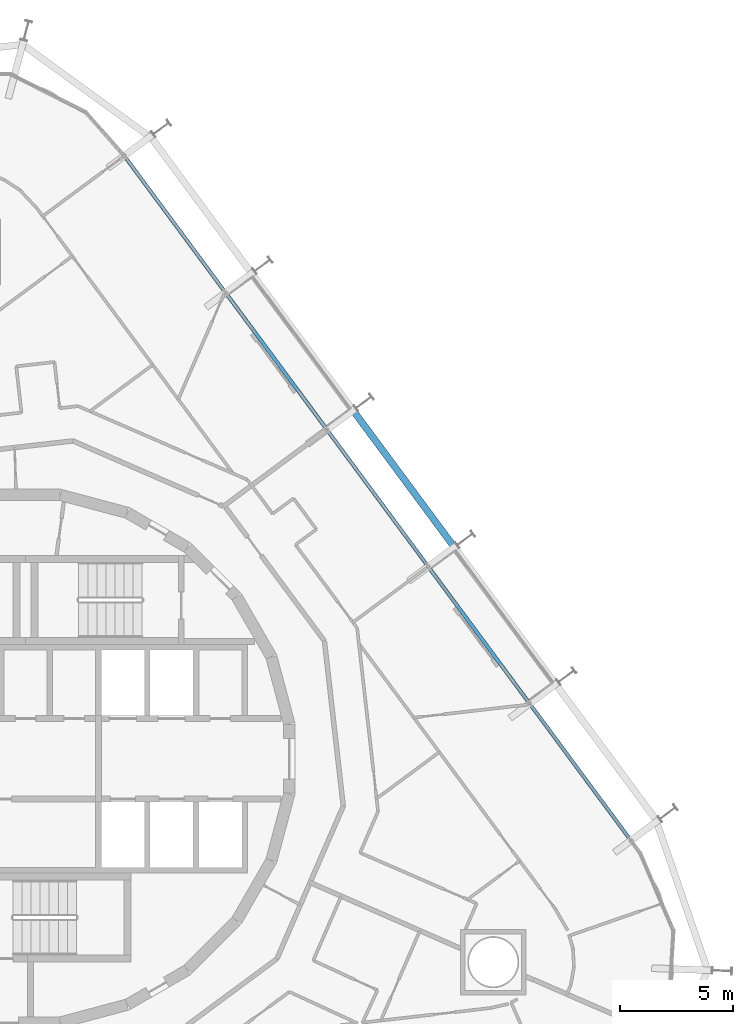
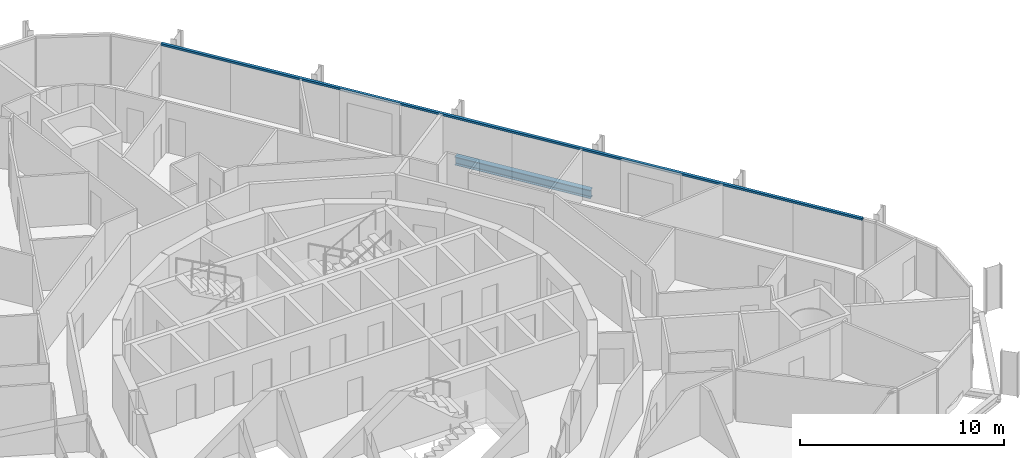
# One storey, part 10 of 23: 1 beam, 1 member, 1 element without a shape of its own.
"""IFC4 building model written with IfcOpenShell, lengths in metres."""

from ifc_helpers import new_model, si_unit, direction, frame, origin, origin_2d, place, context, subcontext, project, spatial, rectangle, i_section, extrude, material, layer, layer_set, material_profile, profile_set, type_object, element, aggregate, save


model = new_model("IFC4")

# Units and contexts
model_context = context("Model", 3, precision=1e-05, world=origin(), true_north=direction((0.0, 1.0)))
body_context = subcontext(model_context, "Body", "Model", "MODEL_VIEW")
ifc_project = project(units=[si_unit("LENGTHUNIT", "METRE"), si_unit("AREAUNIT", "SQUARE_METRE"), si_unit("VOLUMEUNIT", "CUBIC_METRE"), si_unit("PLANEANGLEUNIT", "RADIAN"), si_unit("MASSUNIT", "GRAM", prefix="KILO")], contexts=[model_context])

# Site, building, storey
site_placement = place(None, origin())
site = spatial("IfcSite", under=ifc_project, at=site_placement, CompositionType="ELEMENT")
building_placement = place(site_placement, origin())
building = spatial("IfcBuilding", under=site, at=building_placement, Name="Spindle Arch Residences", CompositionType="ELEMENT")
storey_placement = place(building_placement, frame((0.0, 0.0, 104.699951171875)))
storey = spatial("IfcBuildingStorey", under=building, at=storey_placement, Name="L25", CompositionType="ELEMENT", Elevation=104.699951171875)

# Curtain wall, member
ifc_material_1 = material(Name="Aluminium bronze unitised frame with tinted glass", Category="aluminium")
ifc_layer = layer(ifc_material_1, 0.159912109375)
ifc_layer_set = layer_set([ifc_layer], Name="CW-C typical residential unitised wall")
curtain_wall_type = type_object("IfcCurtainWallType", Name="CW-C typical residential unitised wall", PredefinedType="NOTDEFINED", material=ifc_layer_set)
curtain_wall_placement = place(storey_placement, origin())
curtain_wall = element("IfcCurtainWall", 1, at=curtain_wall_placement, inside=storey, type_object=curtain_wall_type, Name="CW-C L25 run 2", PredefinedType="NOTDEFINED")
ifc_material_2 = material(Name="Aluminium bronze anodised transom", Category="aluminium")
ifc_material_profile_1 = material_profile(ifc_material_2, rectangle(XDim=0.159912109375, YDim=0.1201171875, at=origin_2d()), Name="TR 120x160")
ifc_profile_set_1 = profile_set([ifc_material_profile_1], Name="Aluminium bronze anodised transom")
member_type = type_object("IfcMemberType", Name="Bronze transom 120x160", PredefinedType="USERDEFINED", material=ifc_profile_set_1)
member_placement = place(storey_placement, frame((26.707763671875, -3.583740234375, 2.989990234375), z_axis=(-0.594822410752, 0.803857138842, 0.0), x_axis=(-0.803857138842, -0.594822410752, 0.0)))
member = element("IfcMember", 2, at=member_placement, type_object=member_type, Name="CW-C transom 00", ObjectType="TRANSOM", PredefinedType="USERDEFINED", context=body_context, shape_type="SweptSolid", body=[
    extrude(rectangle(XDim=0.159912109375, YDim=0.1201171875, at=origin_2d()), origin(), (0.0, 0.0, 1.0), 37.5341796875),
])
aggregate(curtain_wall, [member])

# Beam
ifc_material_3 = material(Name="Steel S460ML, intumescent coating R 120", Category="steel")
ifc_material_profile_2 = material_profile(ifc_material_3, i_section(OverallWidth=0.300048828125, OverallDepth=0.5, WebThickness=0.014404296875, FlangeThickness=0.028076171875, FilletRadius=0.027099609375, at=origin_2d()), Name="HEB 500")
ifc_profile_set_2 = profile_set([ifc_material_profile_2], Name="Steel S460ML, intumescent coating R 120")
beam_type = type_object("IfcBeamType", Name="Exoskeleton edge beam HEB 500", PredefinedType="BEAM", material=ifc_profile_set_2)
beam_placement = place(storey_placement, frame((18.85546875, 9.437255859375, -0.6298828125), z_axis=(-0.59484300541, 0.803841899203, 0.0), x_axis=(-0.803841899203, -0.59484300541, 0.0)))
element("IfcBeam", 3, at=beam_placement, inside=storey, type_object=beam_type, Name="Exoskeleton edge beam 8", PredefinedType="BEAM", context=body_context, shape_type="SweptSolid", body=[
    extrude(i_section(OverallWidth=0.300048828125, OverallDepth=0.5, WebThickness=0.014404296875, FlangeThickness=0.028076171875, FilletRadius=0.027099609375, at=origin_2d()), origin(), (0.0, 0.0, 1.0), 7.2587890625),
])

save(model, "model.ifc")
